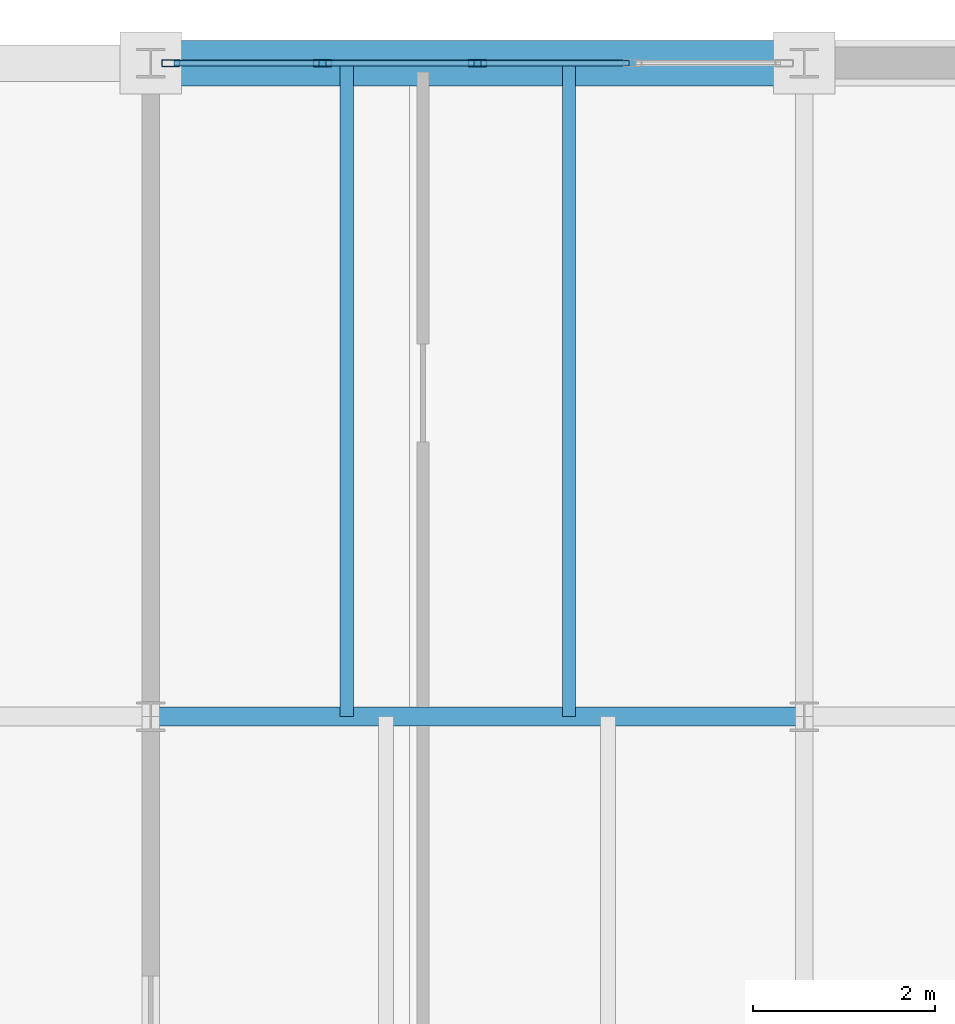
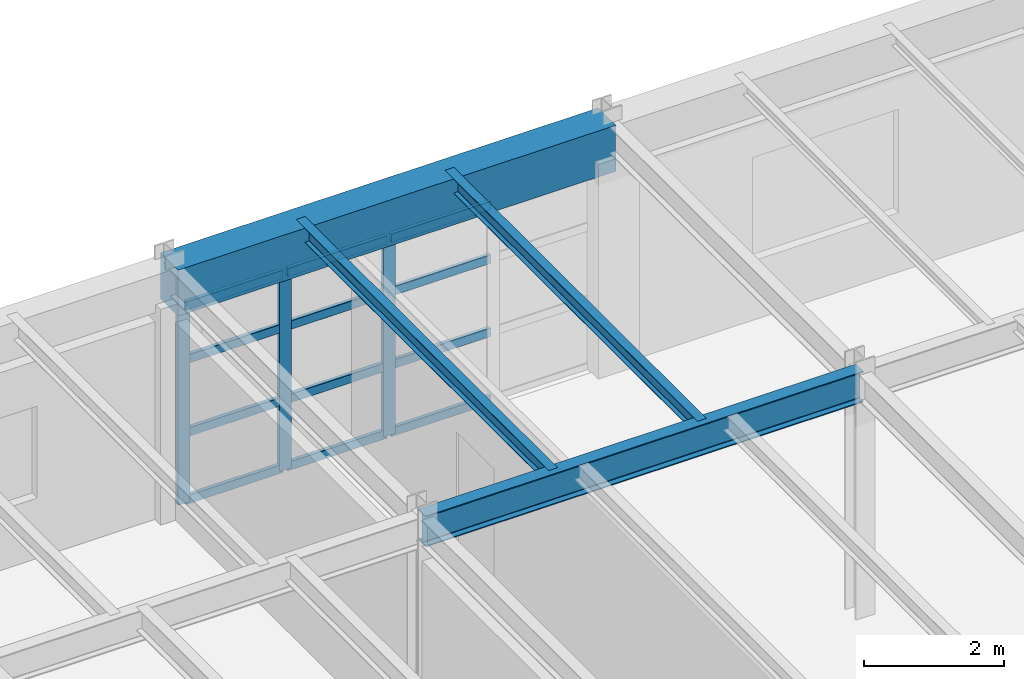
# One storey, part 64 of 137: 15 members, 4 beams, 1 element without a shape of its own.
"""IFC4 building model written with IfcOpenShell, lengths in metres."""

from ifc_helpers import new_model, si_unit, direction, frame, origin, origin_2d, place, context, subcontext, project, spatial, rectangle, hollow_rectangle, i_section, extrude, material, layer, layer_set, material_profile, profile_set, type_object, element, aggregate, save


model = new_model("IFC4")

# Units and contexts
model_context = context("Model", 3, precision=1e-05, world=origin(), true_north=direction((0.0, 1.0)))
body_context = subcontext(model_context, "Body", "Model", "MODEL_VIEW")
ifc_project = project(units=[si_unit("LENGTHUNIT", "METRE"), si_unit("AREAUNIT", "SQUARE_METRE"), si_unit("VOLUMEUNIT", "CUBIC_METRE"), si_unit("PLANEANGLEUNIT", "RADIAN"), si_unit("MASSUNIT", "GRAM", prefix="KILO")], contexts=[model_context])

# Site, building, storey
site_placement = place(None, origin())
site = spatial("IfcSite", under=ifc_project, at=site_placement, CompositionType="ELEMENT")
building_placement = place(site_placement, origin())
building = spatial("IfcBuilding", under=site, at=building_placement, Name="Kemerveld Promenade Tramway Depot", CompositionType="ELEMENT")
storey_placement = place(building_placement, frame((0.0, 0.0, 5.39990234375)))
storey = spatial("IfcBuildingStorey", under=building, at=storey_placement, Name="L01", CompositionType="ELEMENT", Elevation=5.39990234375)

# Beams
ifc_material_1 = material(Name="Steel S355", Category="steel")
ifc_material_profile_1 = material_profile(ifc_material_1, i_section(OverallWidth=0.2099609375, OverallDepth=0.53662109375, WebThickness=0.0107421875, FlangeThickness=0.017333984375, FilletRadius=0.0126953125, at=origin_2d()), Name="533x210x101 UB")
ifc_profile_set_1 = profile_set([ifc_material_profile_1], Name="Steel S355")
beam_type_1 = type_object("IfcBeamType", Name="BM-G05", PredefinedType="BEAM", material=ifc_profile_set_1)
beam_1_placement = place(storey_placement, frame((43.199951171875, 72.0, 3.99169921875), z_axis=(1.0, 0.0, 0.0), x_axis=(0.0, 1.0, 0.0)))
element("IfcBeam", 1, at=beam_1_placement, inside=storey, type_object=beam_type_1, Name="BMX-L01-07-08-L", PredefinedType="BEAM", context=body_context, shape_type="SweptSolid", body=[
    extrude(i_section(OverallWidth=0.2099609375, OverallDepth=0.53662109375, WebThickness=0.0107421875, FlangeThickness=0.017333984375, FilletRadius=0.0126953125, at=origin_2d()), origin(), (0.0, 0.0, 1.0), 7.199951171875),
])
ifc_material_profile_2 = material_profile(ifc_material_1, i_section(OverallWidth=0.146484375, OverallDepth=0.256103515625, WebThickness=0.00634765625, FlangeThickness=0.010986328125, FilletRadius=0.007568359375, at=origin_2d()), Name="254x146x37 UB")
ifc_profile_set_2 = profile_set([ifc_material_profile_2], Name="Steel S355")
beam_type_2 = type_object("IfcBeamType", Name="BM-J02", PredefinedType="JOIST", material=ifc_profile_set_2)
for number, where, z_axis, x_axis, name in (
    (2, (45.360107421875, 72.0, 4.132080078125), (0.0, 1.0, 0.0), (-1.0, 0.0, 0.0), "JST-L01-07-L-1"),
    (3, (47.80810546875, 72.0, 4.132080078125), (0.0, 1.0, 0.0), (-1.0, 0.0, 0.0), "JST-L01-07-L-2"),
):
    element("IfcBeam", number, at=place(storey_placement, frame(where, z_axis=z_axis, x_axis=x_axis)), inside=storey, type_object=beam_type_2, Name=name, PredefinedType="JOIST", context=body_context, shape_type="SweptSolid", body=[
        extrude(i_section(OverallWidth=0.146484375, OverallDepth=0.256103515625, WebThickness=0.00634765625, FlangeThickness=0.010986328125, FilletRadius=0.007568359375, at=origin_2d()), origin(), (0.0, 0.0, 1.0), 7.199951171875),
    ])
ifc_material_2 = material(Name="Concrete C40/50", Category="concrete")
ifc_material_profile_3 = material_profile(ifc_material_2, rectangle(XDim=0.5, YDim=0.800048828125, at=origin_2d()), Name="RC-BM-500x800")
ifc_profile_set_3 = profile_set([ifc_material_profile_3], Name="Concrete C40/50")
beam_type_3 = type_object("IfcBeamType", Name="BM-RC2", PredefinedType="BEAM", material=ifc_profile_set_3)
beam_2_placement = place(storey_placement, frame((43.199951171875, 79.199951171875, 3.860107421875), z_axis=(1.0, 0.0, 0.0), x_axis=(0.0, 1.0, 0.0)))
element("IfcBeam", 4, at=beam_2_placement, inside=storey, type_object=beam_type_3, Name="BMX-L01-07-08-M", PredefinedType="BEAM", context=body_context, shape_type="SweptSolid", body=[
    extrude(rectangle(XDim=0.5, YDim=0.800048828125, at=origin_2d()), origin(), (0.0, 0.0, 1.0), 7.199951171875),
])

# Curtain wall, members
ifc_material_3 = material(Name="Bronze anodised aluminium and solar glass", Category="aluminium")
ifc_layer = layer(ifc_material_3, 0.199951171875)
ifc_layer_set = layer_set([ifc_layer], Name="CW-SYS-10")
curtain_wall_type = type_object("IfcCurtainWallType", Name="CW-SYS-10", PredefinedType="USERDEFINED", material=ifc_layer_set)
curtain_wall_placement = place(storey_placement, origin())
curtain_wall = element("IfcCurtainWall", 5, at=curtain_wall_placement, inside=storey, type_object=curtain_wall_type, Name="CW-L01-V5N-07", ObjectType="GLAZED_CURTAIN_WALL", PredefinedType="USERDEFINED")
ifc_material_4 = material(Name="Bronze anodised aluminium", Category="aluminium")
ifc_material_profile_4 = material_profile(ifc_material_4, hollow_rectangle(XDim=0.074951171875, YDim=0.199951171875, WallThickness=0.0048828125, InnerFilletRadius=0.001953125, OuterFilletRadius=0.0048828125, at=origin_2d()), Name="CW-MUL-200x75")
ifc_profile_set_4 = profile_set([ifc_material_profile_4], Name="Bronze anodised aluminium")
member_type_1 = type_object("IfcMemberType", Name="CW-MUL-B", PredefinedType="MULLION", material=ifc_profile_set_4)
member_1_placement = place(storey_placement, frame((43.4208984375, 79.199951171875, 0.0), z_axis=(0.0, 0.0, 1.0), x_axis=(0.0, 1.0, 0.0)))
member_1 = element("IfcMember", 6, at=member_1_placement, type_object=member_type_1, Name="CW10 mullion 1", PredefinedType="MULLION", context=body_context, shape_type="SweptSolid", body=[
    extrude(hollow_rectangle(XDim=0.074951171875, YDim=0.199951171875, WallThickness=0.0048828125, InnerFilletRadius=0.001953125, OuterFilletRadius=0.0048828125, at=origin_2d()), origin(), (0.0, 0.0, 1.0), 3.440185546875),
])
member_2_placement = place(storey_placement, frame((45.091796875, 79.199951171875, 0.0), z_axis=(0.0, 0.0, 1.0), x_axis=(0.0, 1.0, 0.0)))
member_2 = element("IfcMember", 7, at=member_2_placement, type_object=member_type_1, Name="CW10 mullion 2", PredefinedType="MULLION", context=body_context, shape_type="SweptSolid", body=[
    extrude(hollow_rectangle(XDim=0.074951171875, YDim=0.199951171875, WallThickness=0.0048828125, InnerFilletRadius=0.001953125, OuterFilletRadius=0.0048828125, at=origin_2d()), origin(), (0.0, 0.0, 1.0), 3.440185546875),
])
member_3_placement = place(storey_placement, frame((46.800048828125, 79.199951171875, 0.0), z_axis=(0.0, 0.0, 1.0), x_axis=(0.0, 1.0, 0.0)))
member_3 = element("IfcMember", 8, at=member_3_placement, type_object=member_type_1, Name="CW10 mullion 3", PredefinedType="MULLION", context=body_context, shape_type="SweptSolid", body=[
    extrude(hollow_rectangle(XDim=0.074951171875, YDim=0.199951171875, WallThickness=0.0048828125, InnerFilletRadius=0.001953125, OuterFilletRadius=0.0048828125, at=origin_2d()), origin(), (0.0, 0.0, 1.0), 3.440185546875),
])
ifc_material_profile_5 = material_profile(ifc_material_4, hollow_rectangle(XDim=0.06494140625, YDim=0.14990234375, WallThickness=0.00439453125, InnerFilletRadius=0.001953125, OuterFilletRadius=0.00439453125, at=origin_2d()), Name="CW-TRN-150x65")
ifc_profile_set_5 = profile_set([ifc_material_profile_5], Name="Bronze anodised aluminium")
member_type_2 = type_object("IfcMemberType", Name="CW-TRN-B", PredefinedType="USERDEFINED", material=ifc_profile_set_5)
member_4_placement = place(storey_placement, frame((43.45849609375, 79.199951171875, 0.03271484375), z_axis=(1.0, 0.0, 0.0), x_axis=(0.0, 1.0, 0.0)))
member_4 = element("IfcMember", 9, at=member_4_placement, type_object=member_type_2, Name="CW10 transom 1.1", ObjectType="TRANSOM", PredefinedType="USERDEFINED", context=body_context, shape_type="SweptSolid", body=[
    extrude(hollow_rectangle(XDim=0.06494140625, YDim=0.14990234375, WallThickness=0.00439453125, InnerFilletRadius=0.001953125, OuterFilletRadius=0.00439453125, at=origin_2d()), origin(), (0.0, 0.0, 1.0), 1.595703125),
])
member_5_placement = place(storey_placement, frame((43.45849609375, 79.199951171875, 1.2041015625), z_axis=(1.0, 0.0, 0.0), x_axis=(0.0, 1.0, 0.0)))
member_5 = element("IfcMember", 10, at=member_5_placement, type_object=member_type_2, Name="CW10 transom 1.2", ObjectType="TRANSOM", PredefinedType="USERDEFINED", context=body_context, shape_type="SweptSolid", body=[
    extrude(hollow_rectangle(XDim=0.06494140625, YDim=0.14990234375, WallThickness=0.00439453125, InnerFilletRadius=0.001953125, OuterFilletRadius=0.00439453125, at=origin_2d()), origin(), (0.0, 0.0, 1.0), 1.595703125),
])
member_6_placement = place(storey_placement, frame((43.45849609375, 79.199951171875, 2.47705078125), z_axis=(1.0, 0.0, 0.0), x_axis=(0.0, 1.0, 0.0)))
member_6 = element("IfcMember", 11, at=member_6_placement, type_object=member_type_2, Name="CW10 transom 1.3", ObjectType="TRANSOM", PredefinedType="USERDEFINED", context=body_context, shape_type="SweptSolid", body=[
    extrude(hollow_rectangle(XDim=0.06494140625, YDim=0.14990234375, WallThickness=0.00439453125, InnerFilletRadius=0.001953125, OuterFilletRadius=0.00439453125, at=origin_2d()), origin(), (0.0, 0.0, 1.0), 1.595703125),
])
member_7_placement = place(storey_placement, frame((43.45849609375, 79.199951171875, 3.40771484375), z_axis=(1.0, 0.0, 0.0), x_axis=(0.0, 1.0, 0.0)))
member_7 = element("IfcMember", 12, at=member_7_placement, type_object=member_type_2, Name="CW10 transom 1.4", ObjectType="TRANSOM", PredefinedType="USERDEFINED", context=body_context, shape_type="SweptSolid", body=[
    extrude(hollow_rectangle(XDim=0.06494140625, YDim=0.14990234375, WallThickness=0.00439453125, InnerFilletRadius=0.001953125, OuterFilletRadius=0.00439453125, at=origin_2d()), origin(), (0.0, 0.0, 1.0), 1.595703125),
])
member_8_placement = place(storey_placement, frame((45.129150390625, 79.199951171875, 0.03271484375), z_axis=(1.0, 0.0, 0.0), x_axis=(0.0, 1.0, 0.0)))
member_8 = element("IfcMember", 13, at=member_8_placement, type_object=member_type_2, Name="CW10 transom 2.1", ObjectType="TRANSOM", PredefinedType="USERDEFINED", context=body_context, shape_type="SweptSolid", body=[
    extrude(hollow_rectangle(XDim=0.06494140625, YDim=0.14990234375, WallThickness=0.00439453125, InnerFilletRadius=0.001953125, OuterFilletRadius=0.00439453125, at=origin_2d()), origin(), (0.0, 0.0, 1.0), 1.63330078125),
])
member_9_placement = place(storey_placement, frame((45.129150390625, 79.199951171875, 1.2041015625), z_axis=(1.0, 0.0, 0.0), x_axis=(0.0, 1.0, 0.0)))
member_9 = element("IfcMember", 14, at=member_9_placement, type_object=member_type_2, Name="CW10 transom 2.2", ObjectType="TRANSOM", PredefinedType="USERDEFINED", context=body_context, shape_type="SweptSolid", body=[
    extrude(hollow_rectangle(XDim=0.06494140625, YDim=0.14990234375, WallThickness=0.00439453125, InnerFilletRadius=0.001953125, OuterFilletRadius=0.00439453125, at=origin_2d()), origin(), (0.0, 0.0, 1.0), 1.63330078125),
])
member_10_placement = place(storey_placement, frame((45.129150390625, 79.199951171875, 2.47705078125), z_axis=(1.0, 0.0, 0.0), x_axis=(0.0, 1.0, 0.0)))
member_10 = element("IfcMember", 15, at=member_10_placement, type_object=member_type_2, Name="CW10 transom 2.3", ObjectType="TRANSOM", PredefinedType="USERDEFINED", context=body_context, shape_type="SweptSolid", body=[
    extrude(hollow_rectangle(XDim=0.06494140625, YDim=0.14990234375, WallThickness=0.00439453125, InnerFilletRadius=0.001953125, OuterFilletRadius=0.00439453125, at=origin_2d()), origin(), (0.0, 0.0, 1.0), 1.63330078125),
])
member_11_placement = place(storey_placement, frame((45.129150390625, 79.199951171875, 3.40771484375), z_axis=(1.0, 0.0, 0.0), x_axis=(0.0, 1.0, 0.0)))
member_11 = element("IfcMember", 16, at=member_11_placement, type_object=member_type_2, Name="CW10 transom 2.4", ObjectType="TRANSOM", PredefinedType="USERDEFINED", context=body_context, shape_type="SweptSolid", body=[
    extrude(hollow_rectangle(XDim=0.06494140625, YDim=0.14990234375, WallThickness=0.00439453125, InnerFilletRadius=0.001953125, OuterFilletRadius=0.00439453125, at=origin_2d()), origin(), (0.0, 0.0, 1.0), 1.63330078125),
])
member_12_placement = place(storey_placement, frame((46.83740234375, 79.199951171875, 0.03271484375), z_axis=(1.0, 0.0, 0.0), x_axis=(0.0, 1.0, 0.0)))
member_12 = element("IfcMember", 17, at=member_12_placement, type_object=member_type_2, Name="CW10 transom 3.1", ObjectType="TRANSOM", PredefinedType="USERDEFINED", context=body_context, shape_type="SweptSolid", body=[
    extrude(hollow_rectangle(XDim=0.06494140625, YDim=0.14990234375, WallThickness=0.00439453125, InnerFilletRadius=0.001953125, OuterFilletRadius=0.00439453125, at=origin_2d()), origin(), (0.0, 0.0, 1.0), 1.63330078125),
])
member_13_placement = place(storey_placement, frame((46.83740234375, 79.199951171875, 1.2041015625), z_axis=(1.0, 0.0, 0.0), x_axis=(0.0, 1.0, 0.0)))
member_13 = element("IfcMember", 18, at=member_13_placement, type_object=member_type_2, Name="CW10 transom 3.2", ObjectType="TRANSOM", PredefinedType="USERDEFINED", context=body_context, shape_type="SweptSolid", body=[
    extrude(hollow_rectangle(XDim=0.06494140625, YDim=0.14990234375, WallThickness=0.00439453125, InnerFilletRadius=0.001953125, OuterFilletRadius=0.00439453125, at=origin_2d()), origin(), (0.0, 0.0, 1.0), 1.63330078125),
])
member_14_placement = place(storey_placement, frame((46.83740234375, 79.199951171875, 2.47705078125), z_axis=(1.0, 0.0, 0.0), x_axis=(0.0, 1.0, 0.0)))
member_14 = element("IfcMember", 19, at=member_14_placement, type_object=member_type_2, Name="CW10 transom 3.3", ObjectType="TRANSOM", PredefinedType="USERDEFINED", context=body_context, shape_type="SweptSolid", body=[
    extrude(hollow_rectangle(XDim=0.06494140625, YDim=0.14990234375, WallThickness=0.00439453125, InnerFilletRadius=0.001953125, OuterFilletRadius=0.00439453125, at=origin_2d()), origin(), (0.0, 0.0, 1.0), 1.63330078125),
])
member_15_placement = place(storey_placement, frame((46.83740234375, 79.199951171875, 3.40771484375), z_axis=(1.0, 0.0, 0.0), x_axis=(0.0, 1.0, 0.0)))
member_15 = element("IfcMember", 20, at=member_15_placement, type_object=member_type_2, Name="CW10 transom 3.4", ObjectType="TRANSOM", PredefinedType="USERDEFINED", context=body_context, shape_type="SweptSolid", body=[
    extrude(hollow_rectangle(XDim=0.06494140625, YDim=0.14990234375, WallThickness=0.00439453125, InnerFilletRadius=0.001953125, OuterFilletRadius=0.00439453125, at=origin_2d()), origin(), (0.0, 0.0, 1.0), 1.63330078125),
])
aggregate(curtain_wall, [member_1, member_2, member_3, member_4, member_5, member_6, member_7, member_8, member_9, member_10, member_11, member_12, member_13, member_14, member_15])

save(model, "model.ifc")
